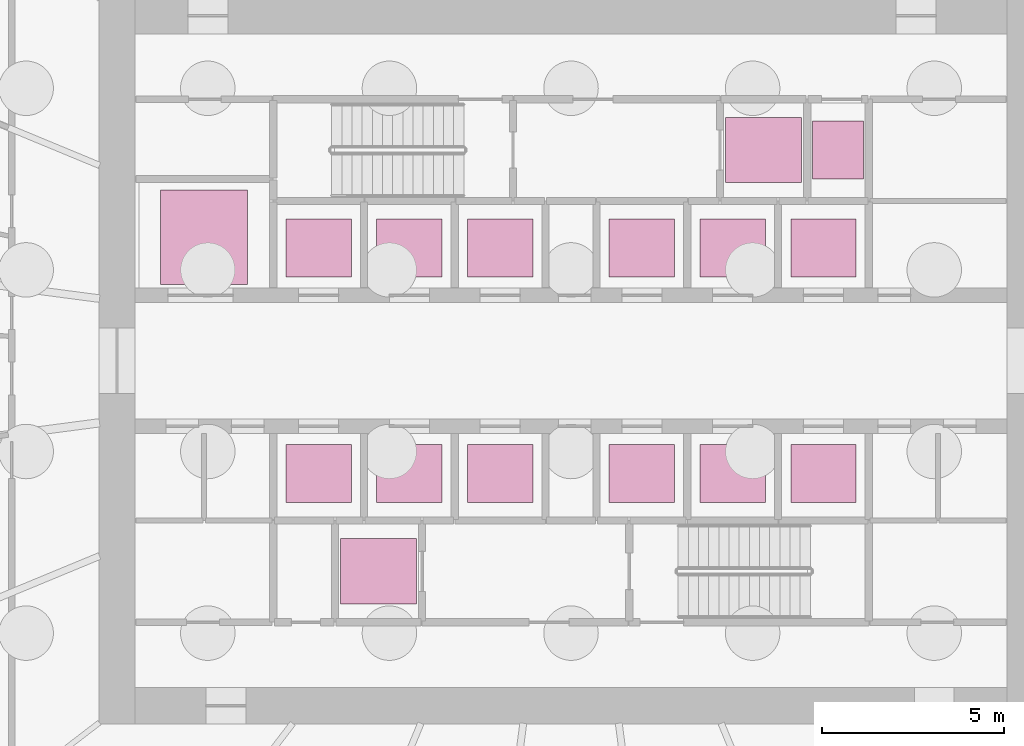
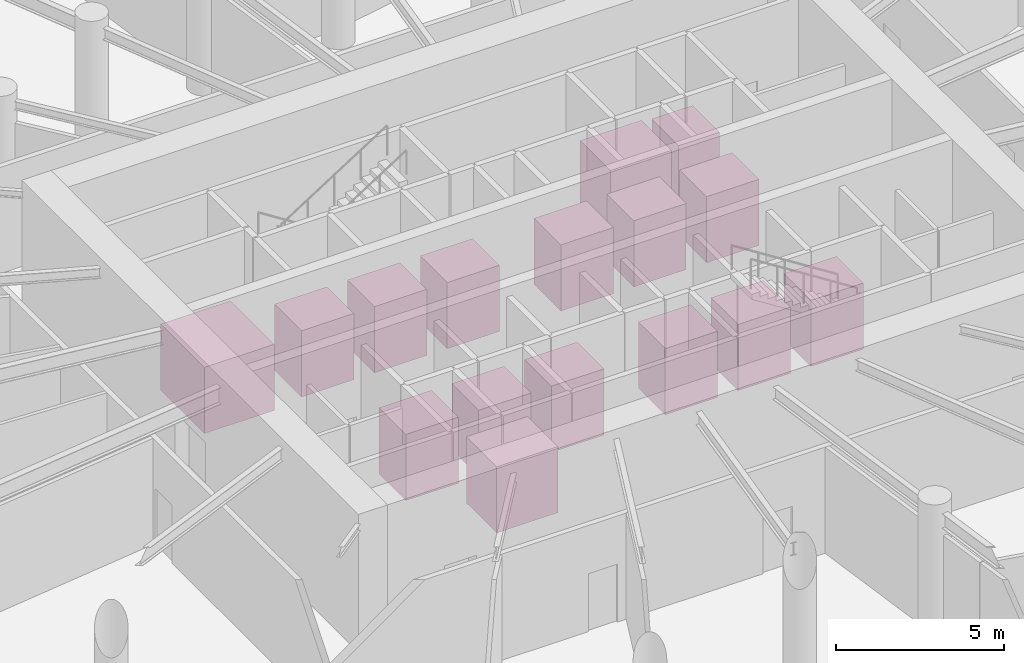
# One storey, part 27 of 28: 16 transport elements.
"""IFC4 building model written with IfcOpenShell, lengths in metres."""

from ifc_helpers import new_model, si_unit, direction, frame, origin, origin_2d, place, context, subcontext, project, spatial, rectangle, extrude, source, transform, mapped, material, type_object, element, save


model = new_model("IFC4")

# Units and contexts
model_context = context("Model", 3, precision=1e-05, world=origin(), true_north=direction((0.0, 1.0)))
body_context = subcontext(model_context, "Body", "Model", "MODEL_VIEW")
ifc_project = project(units=[si_unit("LENGTHUNIT", "METRE"), si_unit("AREAUNIT", "SQUARE_METRE"), si_unit("VOLUMEUNIT", "CUBIC_METRE"), si_unit("PLANEANGLEUNIT", "RADIAN"), si_unit("MASSUNIT", "GRAM", prefix="KILO")], contexts=[model_context])

# Site, building, storey
site_placement = place(None, origin())
site = spatial("IfcSite", under=ifc_project, at=site_placement, CompositionType="ELEMENT")
building_placement = place(site_placement, origin())
building = spatial("IfcBuilding", under=site, at=building_placement, Name="Spindrift Exchange Tower", CompositionType="ELEMENT")
storey_placement = place(building_placement, origin())
storey = spatial("IfcBuildingStorey", under=building, at=storey_placement, Name="L00", CompositionType="ELEMENT", Elevation=0.0)

# Transport elements
ifc_material = material(Name="Stainless steel lift car", Category="steel")
transport_element_type_1 = type_object("IfcTransportElementType", Name="LIFT-HIGH-RISE-180", PredefinedType="ELEVATOR", material=ifc_material)
shared_shape_1 = source(origin(), body_context, "Body", "SweptSolid", [
    extrude(rectangle(XDim=1.800048828125, YDim=1.60009765625, at=origin_2d()), origin(), (0.0, 0.0, 1.0), 2.39990234375),
])
for number, where, z_axis, x_axis, name in (
    (1, (53.949951171875, 51.10009765625, 0.0), (0.0, 0.0, 1.0), (1.0, 0.0, 0.0), "HR1"),
    (2, (56.449951171875, 51.10009765625, 0.0), (0.0, 0.0, 1.0), (1.0, 0.0, 0.0), "HR2"),
    (3, (58.949951171875, 51.10009765625, 0.0), (0.0, 0.0, 1.0), (1.0, 0.0, 0.0), "HR3"),
    (4, (53.949951171875, 44.89990234375, 0.0), (0.0, 0.0, 1.0), (1.0, 0.0, 0.0), "HR4"),
    (5, (56.449951171875, 44.89990234375, 0.0), (0.0, 0.0, 1.0), (1.0, 0.0, 0.0), "HR5"),
    (6, (58.949951171875, 44.89990234375, 0.0), (0.0, 0.0, 1.0), (1.0, 0.0, 0.0), "HR6"),
):
    element("IfcTransportElement", number, at=place(storey_placement, frame(where, z_axis=z_axis, x_axis=x_axis)), inside=storey, type_object=transport_element_type_1, Name=name, PredefinedType="ELEVATOR", context=body_context, shape_type="MappedRepresentation", body=[
        mapped(shared_shape_1, transform((0.0, 0.0, 0.0), scale=1.0)),
    ])
transport_element_type_2 = type_object("IfcTransportElementType", Name="LIFT-LOW-RISE-180", PredefinedType="ELEVATOR", material=ifc_material)
shared_shape_2 = source(origin(), body_context, "Body", "SweptSolid", [
    extrude(rectangle(XDim=1.800048828125, YDim=1.60009765625, at=origin_2d()), origin(), (0.0, 0.0, 1.0), 2.39990234375),
])
for number, where, z_axis, x_axis, name in (
    (7, (45.050048828125, 51.10009765625, 0.0), (0.0, 0.0, 1.0), (1.0, 0.0, 0.0), "LR1"),
    (8, (47.550048828125, 51.10009765625, 0.0), (0.0, 0.0, 1.0), (1.0, 0.0, 0.0), "LR2"),
    (9, (50.050048828125, 51.10009765625, 0.0), (0.0, 0.0, 1.0), (1.0, 0.0, 0.0), "LR3"),
    (10, (45.050048828125, 44.89990234375, 0.0), (0.0, 0.0, 1.0), (1.0, 0.0, 0.0), "LR4"),
    (11, (47.550048828125, 44.89990234375, 0.0), (0.0, 0.0, 1.0), (1.0, 0.0, 0.0), "LR5"),
    (12, (50.050048828125, 44.89990234375, 0.0), (0.0, 0.0, 1.0), (1.0, 0.0, 0.0), "LR6"),
):
    element("IfcTransportElement", number, at=place(storey_placement, frame(where, z_axis=z_axis, x_axis=x_axis)), inside=storey, type_object=transport_element_type_2, Name=name, PredefinedType="ELEVATOR", context=body_context, shape_type="MappedRepresentation", body=[
        mapped(shared_shape_2, transform((0.0, 0.0, 0.0), scale=1.0)),
    ])
transport_element_type_3 = type_object("IfcTransportElementType", Name="LIFT-FIREFIGHTING-180", PredefinedType="ELEVATOR", material=ifc_material)
shared_shape_3 = source(origin(), body_context, "Body", "SweptSolid", [
    extrude(rectangle(XDim=2.10009765625, YDim=1.800048828125, at=origin_2d()), origin(), (0.0, 0.0, 1.0), 2.39990234375),
])
for number, where, z_axis, x_axis, name in (
    (13, (57.300048828125, 53.800048828125, 0.0), (0.0, 0.0, 1.0), (1.0, 0.0, 0.0), "FL1"),
    (14, (46.699951171875, 42.199951171875, 0.0), (0.0, 0.0, 1.0), (1.0, 0.0, 0.0), "FL2"),
):
    element("IfcTransportElement", number, at=place(storey_placement, frame(where, z_axis=z_axis, x_axis=x_axis)), inside=storey, type_object=transport_element_type_3, Name=name, PredefinedType="ELEVATOR", context=body_context, shape_type="MappedRepresentation", body=[
        mapped(shared_shape_3, transform((0.0, 0.0, 0.0), scale=1.0)),
    ])
transport_element_type_4 = type_object("IfcTransportElementType", Name="LIFT-SERVICE-140", PredefinedType="ELEVATOR", material=ifc_material)
shared_shape_4 = source(origin(), body_context, "Body", "SweptSolid", [
    extrude(rectangle(XDim=1.39990234375, YDim=1.60009765625, at=origin_2d()), origin(), (0.0, 0.0, 1.0), 2.39990234375),
])
transport_element_1_placement = place(storey_placement, frame((59.35009765625, 53.800048828125, 0.0), z_axis=(0.0, 0.0, 1.0), x_axis=(1.0, 0.0, 0.0)))
element("IfcTransportElement", 15, at=transport_element_1_placement, inside=storey, type_object=transport_element_type_4, Name="SL", PredefinedType="ELEVATOR", context=body_context, shape_type="MappedRepresentation", body=[
    mapped(shared_shape_4, transform((0.0, 0.0, 0.0), scale=1.0)),
])
transport_element_type_5 = type_object("IfcTransportElementType", Name="LIFT-GOODS-240", PredefinedType="ELEVATOR", material=ifc_material)
shared_shape_5 = source(origin(), body_context, "Body", "SweptSolid", [
    extrude(rectangle(XDim=2.39990234375, YDim=2.60009765625, at=origin_2d()), origin(), (0.0, 0.0, 1.0), 2.39990234375),
])
transport_element_2_placement = place(storey_placement, frame((41.89990234375, 51.39990234375, 0.0), z_axis=(0.0, 0.0, 1.0), x_axis=(1.0, 0.0, 0.0)))
element("IfcTransportElement", 16, at=transport_element_2_placement, inside=storey, type_object=transport_element_type_5, Name="GL", PredefinedType="ELEVATOR", context=body_context, shape_type="MappedRepresentation", body=[
    mapped(shared_shape_5, transform((0.0, 0.0, 0.0), scale=1.0)),
])

save(model, "model.ifc")
